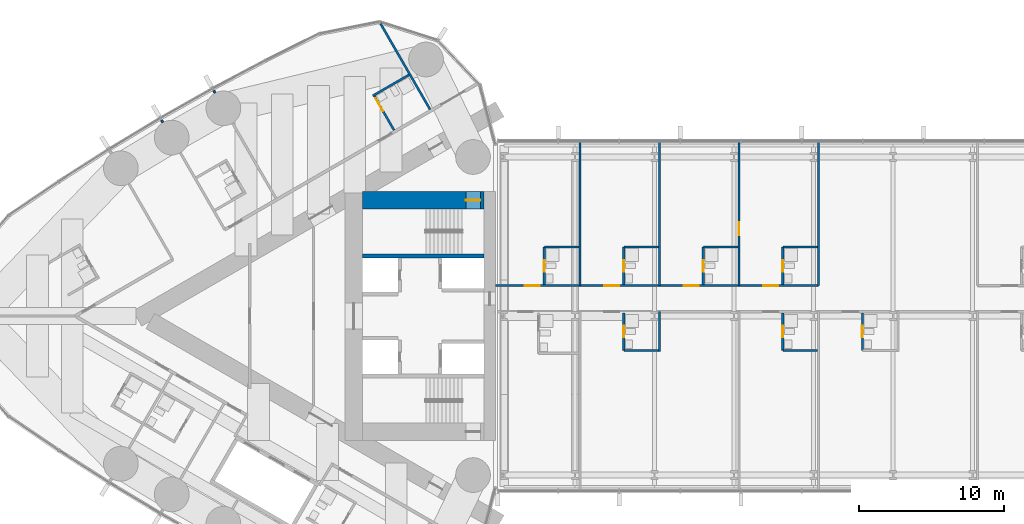
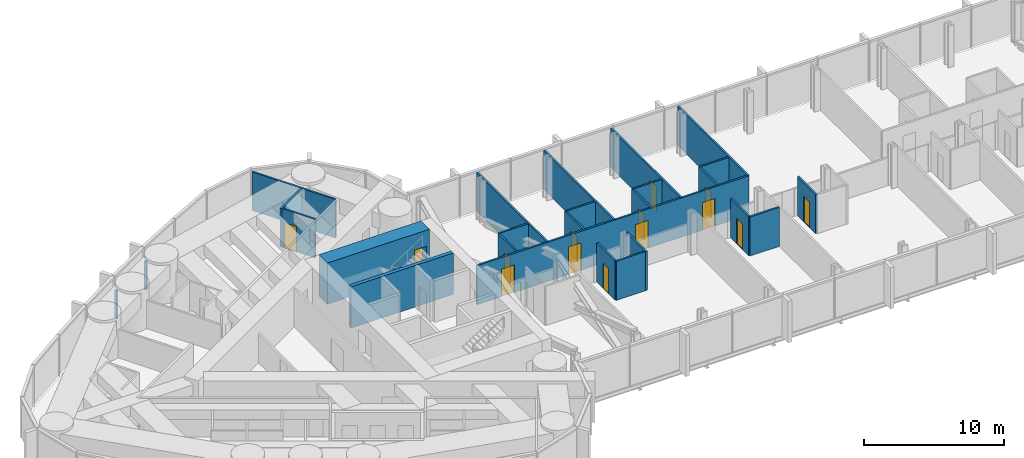
# One storey, part 16 of 22: 26 walls, 14 doors, 14 openings.
"""IFC4 building model written with IfcOpenShell, lengths in metres."""

import ifcopenshell
import ifcopenshell.guid

model = None  # the IFC model being written
_history = None  # IfcOwnerHistory: only IFC2X3 demands one
_inside = {}  # id of a spatial element -> (the spatial element, [elements in it])
_under = {}  # id of a project, library or spatial element -> (it, [spatial elements below it])
_declared = {}  # id of a project -> (the project, [libraries it declares])
_typed = {}  # id of a type object -> (the type object, [elements of that type])
_made_of = {}  # id of a material, layer set ... -> (it, [elements and type objects made of it])


def new_model(schema):
    """Start an empty IFC model of exactly this schema.

    Asked for "IFC4X3", IfcOpenShell would pick the latest addendum, in which some entities
    have other attributes; the version numbers below select the first issue.
    IFC2X3 requires an IfcOwnerHistory on every rooted entity: one is made here for all.
    """
    global model, _history
    if schema == "IFC4X3":
        model = ifcopenshell.file(schema_version=(4, 3, 0, 0))
    else:
        model = ifcopenshell.file(schema=schema)
    _inside.clear()
    _under.clear()
    _declared.clear()
    _typed.clear()
    _made_of.clear()
    _history = None
    if model.schema == "IFC2X3":
        org = make("IfcOrganization", Name="unknown")
        user = make(
            "IfcPersonAndOrganization",
            ThePerson=make("IfcPerson", FamilyName="unknown"),
            TheOrganization=org,
        )
        app = make(
            "IfcApplication",
            ApplicationDeveloper=org,
            Version="unknown",
            ApplicationFullName="unknown",
            ApplicationIdentifier="unknown",
        )
        _history = make(
            "IfcOwnerHistory",
            OwningUser=user,
            OwningApplication=app,
            ChangeAction="ADDED",
            CreationDate=0,
        )
    return model


def make(cls, **values):
    """One entity of the class cls with the attributes given. An attribute that is None is left unset."""
    return model.create_entity(
        cls, **{name: value for name, value in values.items() if value is not None}
    )


def rooted(cls, **values):
    """An entity with a GlobalId (a new one), such as an element, a storey or a relation."""
    return make(cls, GlobalId=ifcopenshell.guid.new(), OwnerHistory=_history, **values)


def si_unit(unit_type, name, prefix=None):
    """IfcSIUnit, for example si_unit("LENGTHUNIT", "METRE", prefix="MILLI")."""
    return make("IfcSIUnit", UnitType=unit_type, Prefix=prefix, Name=name)


def assignment(units):
    """IfcUnitAssignment: the units of a project."""
    return None if units is None else make("IfcUnitAssignment", Units=units)


def point(xyz):
    """IfcCartesianPoint."""
    return None if xyz is None else make("IfcCartesianPoint", Coordinates=xyz)


def direction(xyz):
    """IfcDirection."""
    return None if xyz is None else make("IfcDirection", DirectionRatios=xyz)


def frame(location, z_axis=None, x_axis=None):
    """IfcAxis2Placement3D, a coordinate frame: its origin and axes. An axis left out is left unset."""
    return make(
        "IfcAxis2Placement3D",
        Location=point(location),
        Axis=direction(z_axis),
        RefDirection=direction(x_axis),
    )


def frame_2d(location, x_axis=None):
    """IfcAxis2Placement2D, a coordinate frame in the plane: its origin and x axis."""
    return make(
        "IfcAxis2Placement2D", Location=point(location), RefDirection=direction(x_axis)
    )


def origin():
    """The frame at (0, 0, 0) with its axes left unset."""
    return frame((0.0, 0.0, 0.0))


def place(relative_to, where):
    """IfcLocalPlacement: puts the frame where relative to a parent placement (None: the world)."""
    return make(
        "IfcLocalPlacement", PlacementRelTo=relative_to, RelativePlacement=where
    )


def context(
    kind, dimensions, precision=None, world=None, true_north=None, identifier=None
):
    """IfcGeometricRepresentationContext, for example the 3D "Model" context."""
    return make(
        "IfcGeometricRepresentationContext",
        ContextIdentifier=identifier,
        ContextType=kind,
        CoordinateSpaceDimension=dimensions,
        Precision=precision,
        WorldCoordinateSystem=world,
        TrueNorth=true_north,
    )


def subcontext(parent, identifier, kind, view, scale=None):
    """IfcGeometricRepresentationSubContext, for example "Body" below "Model"."""
    return make(
        "IfcGeometricRepresentationSubContext",
        ContextIdentifier=identifier,
        ContextType=kind,
        ParentContext=parent,
        TargetScale=scale,
        TargetView=view,
    )


def project(units=None, contexts=None):
    """IfcProject with its units and contexts."""
    return rooted(
        "IfcProject",
        Name="project",
        RepresentationContexts=contexts,
        UnitsInContext=assignment(units),
    )


def spatial(cls, under=None, at=None, **own):
    """A site, building, storey or space (cls), placed at a placement, below another one or the project."""
    s = rooted(cls, ObjectPlacement=at, **own)
    if under is not None:
        _under.setdefault(under.id(), (under, []))[1].append(s)
    return s


def profile(cls, at=None, kind="AREA", **sizes):
    """A parametric profile (cls). Its sizes go by their IFC names, for example OverallWidth=200.0."""
    return make(cls, ProfileType=kind, Position=at, **sizes)


def rectangle(**sizes):
    """IfcRectangleProfileDef."""
    return profile("IfcRectangleProfileDef", **sizes)


def extrude(swept, where, along, depth):
    """IfcExtrudedAreaSolid: the profile swept, set in the frame where, extruded along a direction by depth."""
    return make(
        "IfcExtrudedAreaSolid",
        SweptArea=swept,
        Position=where,
        ExtrudedDirection=direction(along),
        Depth=depth,
    )


def shape(context_of_items, identifier, shape_type, items):
    """IfcShapeRepresentation: the items that make up one representation, for example the "Body"."""
    return make(
        "IfcShapeRepresentation",
        ContextOfItems=context_of_items,
        RepresentationIdentifier=identifier,
        RepresentationType=shape_type,
        Items=items,
    )


def material(Name=None, Category=None):
    """IfcMaterial."""
    return make("IfcMaterial", Name=Name, Category=Category)


def layer(
    of_material, thickness, ventilated=None, Name=None, Category=None, Priority=None
):
    """IfcMaterialLayer: one layer of a wall or slab, of a material (None: an air gap)."""
    return make(
        "IfcMaterialLayer",
        Material=of_material,
        LayerThickness=thickness,
        IsVentilated=ventilated,
        Name=Name,
        Category=Category,
        Priority=Priority,
    )


def layer_set(layers, Name=None):
    """IfcMaterialLayerSet."""
    return make("IfcMaterialLayerSet", MaterialLayers=layers, LayerSetName=Name)


def made_of(thing, what):
    """Note that an element or type object is made of a material, layer set ...; save() writes the relation."""
    if what is not None:
        _made_of.setdefault(what.id(), (what, []))[1].append(thing)
    return thing


def type_object(cls, material=None, **own):
    """A type object (cls), such as IfcWallType, which elements share."""
    return made_of(rooted(cls, **own), material)


def element(
    cls,
    number,
    at=None,
    inside=None,
    cuts=None,
    type_object=None,
    material=None,
    context=None,
    identifier="Body",
    shape_type=None,
    held_by="IfcProductDefinitionShape",
    body=None,
    shapes=None,
    **own,
):
    """One element of the class cls, such as IfcWall. Its Tag is "e" and its number.

    at: its placement. inside: the storey or other place that contains it. cuts: it is an
    opening in that element (IfcRelVoidsElement). A single representation is given by context,
    identifier, shape_type and body (its items); several are given by shapes. held_by: the class
    of the entity that holds the representations. save() writes the other relations.
    """
    e = rooted(cls, Tag="e%d" % number, ObjectPlacement=at, **own)
    if body is not None:
        shapes = [shape(context, identifier, shape_type, body)]
    if shapes is not None:
        e.Representation = make(held_by, Representations=shapes)
    if inside is not None:
        _inside.setdefault(inside.id(), (inside, []))[1].append(e)
    if cuts is not None:
        rooted(
            "IfcRelVoidsElement", RelatingBuildingElement=cuts, RelatedOpeningElement=e
        )
    if type_object is not None:
        _typed.setdefault(type_object.id(), (type_object, []))[1].append(e)
    return made_of(e, material)


def fill(opening, filler):
    """IfcRelFillsElement: the door or window that sits in an opening."""
    return rooted(
        "IfcRelFillsElement",
        RelatingOpeningElement=opening,
        RelatedBuildingElement=filler,
    )


def aggregate(whole, parts):
    """IfcRelAggregates: a whole, such as a stair, and the parts it consists of."""
    return rooted("IfcRelAggregates", RelatingObject=whole, RelatedObjects=parts)


def save(model, path):
    """Write the relations noted so far, then the file.

    IfcRelAggregates (storeys below a building ...), IfcRelContainedInSpatialStructure (elements
    in a storey), IfcRelDefinesByType, IfcRelAssociatesMaterial and IfcRelDeclares: one each for
    every whole, place, type object, material and project.
    """
    for whole, parts in _under.values():
        aggregate(whole, parts)
    for where, things in _inside.values():
        rooted(
            "IfcRelContainedInSpatialStructure",
            RelatedElements=things,
            RelatingStructure=where,
        )
    for kind, things in _typed.values():
        rooted("IfcRelDefinesByType", RelatedObjects=things, RelatingType=kind)
    for what, things in _made_of.values():
        rooted("IfcRelAssociatesMaterial", RelatedObjects=things, RelatingMaterial=what)
    for by, libraries in _declared.values():
        rooted("IfcRelDeclares", RelatingContext=by, RelatedDefinitions=libraries)
    model.write(path)


model = new_model("IFC4")

# Units and contexts
model_context = context("Model", 3, precision=1e-05, world=origin(), true_north=direction((0.0, 1.0)))
body_context = subcontext(model_context, "Body", "Model", "MODEL_VIEW")
ifc_project = project(units=[si_unit("LENGTHUNIT", "METRE"), si_unit("AREAUNIT", "SQUARE_METRE"), si_unit("VOLUMEUNIT", "CUBIC_METRE"), si_unit("PLANEANGLEUNIT", "RADIAN"), si_unit("MASSUNIT", "GRAM", prefix="KILO")], contexts=[model_context])

# Site, building, storey
site_placement = place(None, origin())
site = spatial("IfcSite", under=ifc_project, at=site_placement, CompositionType="ELEMENT")
building_placement = place(site_placement, origin())
building = spatial("IfcBuilding", under=site, at=building_placement, Name="Lancet Gate Hotel", CompositionType="ELEMENT")
storey_placement = place(building_placement, frame((0.0, 0.0, 226.10009765625)))
storey = spatial("IfcBuildingStorey", under=building, at=storey_placement, Name="L60", CompositionType="ELEMENT", Elevation=226.10009765625)

# Wall
ifc_material_1 = material(Name="Moisture resistant board partition")
ifc_layer_1 = layer(ifc_material_1, 0.14990234375)
ifc_layer_set_1 = layer_set([ifc_layer_1], Name="Bathroom wall 150")
wall_type_1 = type_object("IfcWallType", Name="Bathroom wall 150", PredefinedType="PARTITIONING", material=ifc_layer_set_1)
wall_1_placement = place(storey_placement, frame((-33.486572265625, 16.6748046875, 0.0), z_axis=(0.0, 0.0, 1.0), x_axis=(-0.866039941686, -0.499974818771, 0.0)))
element("IfcWall", 1, at=wall_1_placement, inside=storey, type_object=wall_type_1, Name="T1 bathroom wall 150 L60", PredefinedType="PARTITIONING", context=body_context, shape_type="SweptSolid", body=[
    extrude(rectangle(XDim=2.875244140625, YDim=0.14990234375, at=frame_2d((1.4375, 0.0))), origin(), (0.0, 0.0, 1.0), 3.349853515625),
])

# Wall, opening, door
wall_2_placement = place(storey_placement, frame((-34.511474609375, 12.849853515625, 0.0), z_axis=(0.0, 0.0, 1.0), x_axis=(-0.500011755427, 0.866018616679, 0.0)))
wall_2 = element("IfcWall", 2, at=wall_2_placement, inside=storey, type_object=wall_type_1, Name="T1 bathroom wall 150 L60", PredefinedType="PARTITIONING", context=body_context, shape_type="SweptSolid", body=[
    extrude(rectangle(XDim=2.80029296875, YDim=0.14990234375, at=frame_2d((1.400146484375, 0.0))), origin(), (0.0, 0.0, 1.0), 3.349853515625),
])
opening_1_placement = place(wall_2_placement, frame((1.550048828125, 0.0, 0.0)))
opening_1 = element("IfcOpeningElement", 3, at=opening_1_placement, cuts=wall_2, Name="Opening 6002-B", PredefinedType="OPENING", context=body_context, shape_type="SweptSolid", body=[
    extrude(rectangle(XDim=1.0, YDim=2.199951171875, at=frame_2d((0.5, 1.10009765625))), frame((0.0, 0.0849609375, 0.0), z_axis=(0.0, -1.0, 0.0), x_axis=(1.0, 0.0, 0.0)), (0.0, 0.0, 1.0), 0.169921875),
])
ifc_material_2 = material(Name="Timber door set", Category="wood")
door_type_1 = type_object("IfcDoorType", Name="Accessible en-suite door 1000", OperationType="SINGLE_SWING_RIGHT", PredefinedType="DOOR", material=ifc_material_2)
door_1_placement = place(opening_1_placement, origin())
door_1 = element("IfcDoor", 4, at=door_1_placement, inside=storey, type_object=door_type_1, Name="6002-B", OperationType="SINGLE_SWING_RIGHT", OverallHeight=2.199951171875, OverallWidth=1.0, PredefinedType="DOOR", context=body_context, shape_type="SweptSolid", body=[
    extrude(rectangle(XDim=1.0, YDim=2.199951171875, at=frame_2d((0.5, 1.10009765625))), frame((0.0, 0.02490234375, 0.0), z_axis=(0.0, -1.0, 0.0), x_axis=(1.0, 0.0, 0.0)), (0.0, 0.0, 1.0), 0.050048828125),
])
fill(opening_1, door_1)

# Wall
wall_3_placement = place(storey_placement, frame((-18.625, -2.375, 0.0), z_axis=(0.0, 0.0, 1.0), x_axis=(1.0, 0.0, 0.0)))
element("IfcWall", 5, at=wall_3_placement, inside=storey, type_object=wall_type_1, Name="Bridge block bathroom wall 150 L60", PredefinedType="PARTITIONING", context=body_context, shape_type="SweptSolid", body=[
    extrude(rectangle(XDim=2.39990234375, YDim=0.14990234375, at=frame_2d((1.199951171875, 0.0))), origin(), (0.0, 0.0, 1.0), 3.39990234375),
])

# Wall, opening, door
wall_4_placement = place(storey_placement, frame((-18.625, -2.375, 0.0), z_axis=(0.0, 0.0, 1.0), x_axis=(0.0, 1.0, 0.0)))
wall_4 = element("IfcWall", 6, at=wall_4_placement, inside=storey, type_object=wall_type_1, Name="Bridge block bathroom wall 150 L60", PredefinedType="PARTITIONING", context=body_context, shape_type="SweptSolid", body=[
    extrude(rectangle(XDim=2.60009765625, YDim=0.14990234375, at=frame_2d((1.300048828125, 0.0))), origin(), (0.0, 0.0, 1.0), 3.39990234375),
])
opening_2_placement = place(wall_4_placement, frame((0.89990234375, 0.0, 0.0)))
opening_2 = element("IfcOpeningElement", 7, at=opening_2_placement, cuts=wall_4, Name="Opening B6002-B", PredefinedType="OPENING", context=body_context, shape_type="SweptSolid", body=[
    extrude(rectangle(XDim=0.800048828125, YDim=2.199951171875, at=frame_2d((0.39990234375, 1.10009765625))), frame((0.0, 0.0849609375, 0.0), z_axis=(0.0, -1.0, 0.0), x_axis=(1.0, 0.0, 0.0)), (0.0, 0.0, 1.0), 0.169921875),
])
ifc_material_3 = material(Name="Timber door set", Category="wood")
door_type_2 = type_object("IfcDoorType", Name="Bathroom door 800", OperationType="SINGLE_SWING_RIGHT", PredefinedType="DOOR", material=ifc_material_3)
door_2_placement = place(opening_2_placement, origin())
door_2 = element("IfcDoor", 8, at=door_2_placement, inside=storey, type_object=door_type_2, Name="B6002-B", OperationType="SINGLE_SWING_RIGHT", OverallHeight=2.199951171875, OverallWidth=0.800048828125, PredefinedType="DOOR", context=body_context, shape_type="SweptSolid", body=[
    extrude(rectangle(XDim=0.800048828125, YDim=2.199951171875, at=frame_2d((0.39990234375, 1.10009765625))), frame((0.0, 0.02490234375, 0.0), z_axis=(0.0, -1.0, 0.0), x_axis=(1.0, 0.0, 0.0)), (0.0, 0.0, 1.0), 0.050048828125),
])
fill(opening_2, door_2)

# Wall
wall_5_placement = place(storey_placement, frame((-7.625, -2.375, 0.0), z_axis=(0.0, 0.0, 1.0), x_axis=(1.0, 0.0, 0.0)))
element("IfcWall", 9, at=wall_5_placement, inside=storey, type_object=wall_type_1, Name="Bridge block bathroom wall 150 L60", PredefinedType="PARTITIONING", context=body_context, shape_type="SweptSolid", body=[
    extrude(rectangle(XDim=2.39990234375, YDim=0.14990234375, at=frame_2d((1.199951171875, 0.0))), origin(), (0.0, 0.0, 1.0), 3.39990234375),
])

# Wall, opening, door
wall_6_placement = place(storey_placement, frame((-7.625, -2.375, 0.0), z_axis=(0.0, 0.0, 1.0), x_axis=(0.0, 1.0, 0.0)))
wall_6 = element("IfcWall", 10, at=wall_6_placement, inside=storey, type_object=wall_type_1, Name="Bridge block bathroom wall 150 L60", PredefinedType="PARTITIONING", context=body_context, shape_type="SweptSolid", body=[
    extrude(rectangle(XDim=2.60009765625, YDim=0.14990234375, at=frame_2d((1.300048828125, 0.0))), origin(), (0.0, 0.0, 1.0), 3.39990234375),
])
opening_3_placement = place(wall_6_placement, frame((0.89990234375, 0.0, 0.0)))
opening_3 = element("IfcOpeningElement", 11, at=opening_3_placement, cuts=wall_6, Name="Opening B6004-B", PredefinedType="OPENING", context=body_context, shape_type="SweptSolid", body=[
    extrude(rectangle(XDim=0.800048828125, YDim=2.199951171875, at=frame_2d((0.39990234375, 1.10009765625))), frame((0.0, 0.0849609375, 0.0), z_axis=(0.0, -1.0, 0.0), x_axis=(1.0, 0.0, 0.0)), (0.0, 0.0, 1.0), 0.169921875),
])
door_3_placement = place(opening_3_placement, origin())
door_3 = element("IfcDoor", 12, at=door_3_placement, inside=storey, type_object=door_type_2, Name="B6004-B", OperationType="SINGLE_SWING_RIGHT", OverallHeight=2.199951171875, OverallWidth=0.800048828125, PredefinedType="DOOR", context=body_context, shape_type="SweptSolid", body=[
    extrude(rectangle(XDim=0.800048828125, YDim=2.199951171875, at=frame_2d((0.39990234375, 1.10009765625))), frame((0.0, 0.02490234375, 0.0), z_axis=(0.0, -1.0, 0.0), x_axis=(1.0, 0.0, 0.0)), (0.0, 0.0, 1.0), 0.050048828125),
])
fill(opening_3, door_3)

wall_7_placement = place(storey_placement, frame((-2.125, -2.375, 0.0), z_axis=(0.0, 0.0, 1.0), x_axis=(0.0, 1.0, 0.0)))
wall_7 = element("IfcWall", 13, at=wall_7_placement, inside=storey, type_object=wall_type_1, Name="Bridge block bathroom wall 150 L60", PredefinedType="PARTITIONING", context=body_context, shape_type="SweptSolid", body=[
    extrude(rectangle(XDim=2.60009765625, YDim=0.14990234375, at=frame_2d((1.300048828125, 0.0))), origin(), (0.0, 0.0, 1.0), 3.39990234375),
])
opening_4_placement = place(wall_7_placement, frame((0.89990234375, 0.0, 0.0)))
opening_4 = element("IfcOpeningElement", 14, at=opening_4_placement, cuts=wall_7, Name="Opening B6005-B", PredefinedType="OPENING", context=body_context, shape_type="SweptSolid", body=[
    extrude(rectangle(XDim=0.800048828125, YDim=2.199951171875, at=frame_2d((0.39990234375, 1.10009765625))), frame((0.0, 0.0849609375, 0.0), z_axis=(0.0, -1.0, 0.0), x_axis=(1.0, 0.0, 0.0)), (0.0, 0.0, 1.0), 0.169921875),
])
door_4_placement = place(opening_4_placement, origin())
door_4 = element("IfcDoor", 15, at=door_4_placement, inside=storey, type_object=door_type_2, Name="B6005-B", OperationType="SINGLE_SWING_RIGHT", OverallHeight=2.199951171875, OverallWidth=0.800048828125, PredefinedType="DOOR", context=body_context, shape_type="SweptSolid", body=[
    extrude(rectangle(XDim=0.800048828125, YDim=2.199951171875, at=frame_2d((0.39990234375, 1.10009765625))), frame((0.0, 0.02490234375, 0.0), z_axis=(0.0, -1.0, 0.0), x_axis=(1.0, 0.0, 0.0)), (0.0, 0.0, 1.0), 0.050048828125),
])
fill(opening_4, door_4)

# Wall
wall_8_placement = place(storey_placement, frame((-24.125, 4.77490234375, 0.0), z_axis=(0.0, 0.0, 1.0), x_axis=(1.0, 0.0, 0.0)))
element("IfcWall", 16, at=wall_8_placement, inside=storey, type_object=wall_type_1, Name="Bridge block bathroom wall 150 L60", PredefinedType="PARTITIONING", context=body_context, shape_type="SweptSolid", body=[
    extrude(rectangle(XDim=2.39990234375, YDim=0.14990234375, at=frame_2d((1.199951171875, 0.0))), origin(), (0.0, 0.0, 1.0), 3.39990234375),
])

# Wall, opening, door
wall_9_placement = place(storey_placement, frame((-24.125, 2.175048828125, 0.0), z_axis=(0.0, 0.0, 1.0), x_axis=(0.0, 1.0, 0.0)))
wall_9 = element("IfcWall", 17, at=wall_9_placement, inside=storey, type_object=wall_type_1, Name="Bridge block bathroom wall 150 L60", PredefinedType="PARTITIONING", context=body_context, shape_type="SweptSolid", body=[
    extrude(rectangle(XDim=2.599853515625, YDim=0.14990234375, at=frame_2d((1.2998046875, 0.0))), origin(), (0.0, 0.0, 1.0), 3.39990234375),
])
opening_5_placement = place(wall_9_placement, frame((0.89990234375, 0.0, 0.0)))
opening_5 = element("IfcOpeningElement", 18, at=opening_5_placement, cuts=wall_9, Name="Opening B6011-B", PredefinedType="OPENING", context=body_context, shape_type="SweptSolid", body=[
    extrude(rectangle(XDim=0.800048828125, YDim=2.199951171875, at=frame_2d((0.39990234375, 1.10009765625))), frame((0.0, 0.0849609375, 0.0), z_axis=(0.0, -1.0, 0.0), x_axis=(1.0, 0.0, 0.0)), (0.0, 0.0, 1.0), 0.169921875),
])
door_5_placement = place(opening_5_placement, origin())
door_5 = element("IfcDoor", 19, at=door_5_placement, inside=storey, type_object=door_type_2, Name="B6011-B", OperationType="SINGLE_SWING_RIGHT", OverallHeight=2.199951171875, OverallWidth=0.800048828125, PredefinedType="DOOR", context=body_context, shape_type="SweptSolid", body=[
    extrude(rectangle(XDim=0.800048828125, YDim=2.199951171875, at=frame_2d((0.39990234375, 1.10009765625))), frame((0.0, 0.02490234375, 0.0), z_axis=(0.0, -1.0, 0.0), x_axis=(1.0, 0.0, 0.0)), (0.0, 0.0, 1.0), 0.050048828125),
])
fill(opening_5, door_5)

# Wall
wall_10_placement = place(storey_placement, frame((-18.625, 4.77490234375, 0.0), z_axis=(0.0, 0.0, 1.0), x_axis=(1.0, 0.0, 0.0)))
element("IfcWall", 20, at=wall_10_placement, inside=storey, type_object=wall_type_1, Name="Bridge block bathroom wall 150 L60", PredefinedType="PARTITIONING", context=body_context, shape_type="SweptSolid", body=[
    extrude(rectangle(XDim=2.39990234375, YDim=0.14990234375, at=frame_2d((1.199951171875, 0.0))), origin(), (0.0, 0.0, 1.0), 3.39990234375),
])

# Wall, opening, door
wall_11_placement = place(storey_placement, frame((-18.625, 2.175048828125, 0.0), z_axis=(0.0, 0.0, 1.0), x_axis=(0.0, 1.0, 0.0)))
wall_11 = element("IfcWall", 21, at=wall_11_placement, inside=storey, type_object=wall_type_1, Name="Bridge block bathroom wall 150 L60", PredefinedType="PARTITIONING", context=body_context, shape_type="SweptSolid", body=[
    extrude(rectangle(XDim=2.599853515625, YDim=0.14990234375, at=frame_2d((1.2998046875, 0.0))), origin(), (0.0, 0.0, 1.0), 3.39990234375),
])
opening_6_placement = place(wall_11_placement, frame((0.89990234375, 0.0, 0.0)))
opening_6 = element("IfcOpeningElement", 22, at=opening_6_placement, cuts=wall_11, Name="Opening B6012-B", PredefinedType="OPENING", context=body_context, shape_type="SweptSolid", body=[
    extrude(rectangle(XDim=0.800048828125, YDim=2.199951171875, at=frame_2d((0.39990234375, 1.10009765625))), frame((0.0, 0.0849609375, 0.0), z_axis=(0.0, -1.0, 0.0), x_axis=(1.0, 0.0, 0.0)), (0.0, 0.0, 1.0), 0.169921875),
])
door_6_placement = place(opening_6_placement, origin())
door_6 = element("IfcDoor", 23, at=door_6_placement, inside=storey, type_object=door_type_2, Name="B6012-B", OperationType="SINGLE_SWING_RIGHT", OverallHeight=2.199951171875, OverallWidth=0.800048828125, PredefinedType="DOOR", context=body_context, shape_type="SweptSolid", body=[
    extrude(rectangle(XDim=0.800048828125, YDim=2.199951171875, at=frame_2d((0.39990234375, 1.10009765625))), frame((0.0, 0.02490234375, 0.0), z_axis=(0.0, -1.0, 0.0), x_axis=(1.0, 0.0, 0.0)), (0.0, 0.0, 1.0), 0.050048828125),
])
fill(opening_6, door_6)

# Wall
wall_12_placement = place(storey_placement, frame((-13.125, 4.77490234375, 0.0), z_axis=(0.0, 0.0, 1.0), x_axis=(1.0, 0.0, 0.0)))
element("IfcWall", 24, at=wall_12_placement, inside=storey, type_object=wall_type_1, Name="Bridge block bathroom wall 150 L60", PredefinedType="PARTITIONING", context=body_context, shape_type="SweptSolid", body=[
    extrude(rectangle(XDim=2.39990234375, YDim=0.14990234375, at=frame_2d((1.199951171875, 0.0))), origin(), (0.0, 0.0, 1.0), 3.39990234375),
])

# Wall, opening, door
wall_13_placement = place(storey_placement, frame((-13.125, 2.175048828125, 0.0), z_axis=(0.0, 0.0, 1.0), x_axis=(0.0, 1.0, 0.0)))
wall_13 = element("IfcWall", 25, at=wall_13_placement, inside=storey, type_object=wall_type_1, Name="Bridge block bathroom wall 150 L60", PredefinedType="PARTITIONING", context=body_context, shape_type="SweptSolid", body=[
    extrude(rectangle(XDim=2.599853515625, YDim=0.14990234375, at=frame_2d((1.2998046875, 0.0))), origin(), (0.0, 0.0, 1.0), 3.39990234375),
])
opening_7_placement = place(wall_13_placement, frame((0.89990234375, 0.0, 0.0)))
opening_7 = element("IfcOpeningElement", 26, at=opening_7_placement, cuts=wall_13, Name="Opening B6013-B", PredefinedType="OPENING", context=body_context, shape_type="SweptSolid", body=[
    extrude(rectangle(XDim=0.800048828125, YDim=2.199951171875, at=frame_2d((0.39990234375, 1.10009765625))), frame((0.0, 0.0849609375, 0.0), z_axis=(0.0, -1.0, 0.0), x_axis=(1.0, 0.0, 0.0)), (0.0, 0.0, 1.0), 0.169921875),
])
door_7_placement = place(opening_7_placement, origin())
door_7 = element("IfcDoor", 27, at=door_7_placement, inside=storey, type_object=door_type_2, Name="B6013-B", OperationType="SINGLE_SWING_RIGHT", OverallHeight=2.199951171875, OverallWidth=0.800048828125, PredefinedType="DOOR", context=body_context, shape_type="SweptSolid", body=[
    extrude(rectangle(XDim=0.800048828125, YDim=2.199951171875, at=frame_2d((0.39990234375, 1.10009765625))), frame((0.0, 0.02490234375, 0.0), z_axis=(0.0, -1.0, 0.0), x_axis=(1.0, 0.0, 0.0)), (0.0, 0.0, 1.0), 0.050048828125),
])
fill(opening_7, door_7)

# Wall
wall_14_placement = place(storey_placement, frame((-7.625, 4.77490234375, 0.0), z_axis=(0.0, 0.0, 1.0), x_axis=(1.0, 0.0, 0.0)))
element("IfcWall", 28, at=wall_14_placement, inside=storey, type_object=wall_type_1, Name="Bridge block bathroom wall 150 L60", PredefinedType="PARTITIONING", context=body_context, shape_type="SweptSolid", body=[
    extrude(rectangle(XDim=2.39990234375, YDim=0.14990234375, at=frame_2d((1.199951171875, 0.0))), origin(), (0.0, 0.0, 1.0), 3.39990234375),
])

# Wall, opening, door
wall_15_placement = place(storey_placement, frame((-7.625, 2.175048828125, 0.0), z_axis=(0.0, 0.0, 1.0), x_axis=(0.0, 1.0, 0.0)))
wall_15 = element("IfcWall", 29, at=wall_15_placement, inside=storey, type_object=wall_type_1, Name="Bridge block bathroom wall 150 L60", PredefinedType="PARTITIONING", context=body_context, shape_type="SweptSolid", body=[
    extrude(rectangle(XDim=2.599853515625, YDim=0.14990234375, at=frame_2d((1.2998046875, 0.0))), origin(), (0.0, 0.0, 1.0), 3.39990234375),
])
opening_8_placement = place(wall_15_placement, frame((0.89990234375, 0.0, 0.0)))
opening_8 = element("IfcOpeningElement", 30, at=opening_8_placement, cuts=wall_15, Name="Opening B6014-B", PredefinedType="OPENING", context=body_context, shape_type="SweptSolid", body=[
    extrude(rectangle(XDim=0.800048828125, YDim=2.199951171875, at=frame_2d((0.39990234375, 1.10009765625))), frame((0.0, 0.0849609375, 0.0), z_axis=(0.0, -1.0, 0.0), x_axis=(1.0, 0.0, 0.0)), (0.0, 0.0, 1.0), 0.169921875),
])
door_8_placement = place(opening_8_placement, origin())
door_8 = element("IfcDoor", 31, at=door_8_placement, inside=storey, type_object=door_type_2, Name="B6014-B", OperationType="SINGLE_SWING_RIGHT", OverallHeight=2.199951171875, OverallWidth=0.800048828125, PredefinedType="DOOR", context=body_context, shape_type="SweptSolid", body=[
    extrude(rectangle(XDim=0.800048828125, YDim=2.199951171875, at=frame_2d((0.39990234375, 1.10009765625))), frame((0.0, 0.02490234375, 0.0), z_axis=(0.0, -1.0, 0.0), x_axis=(1.0, 0.0, 0.0)), (0.0, 0.0, 1.0), 0.050048828125),
])
fill(opening_8, door_8)

# Wall, openings, doors
ifc_material_4 = material(Name="Gypsum board partition")
ifc_layer_2 = layer(ifc_material_4, 0.14990234375)
ifc_layer_set_2 = layer_set([ifc_layer_2], Name="Block corridor wall 150")
wall_type_2 = type_object("IfcWallType", Name="Block corridor wall 150", PredefinedType="PARTITIONING", material=ifc_layer_set_2)
wall_16_placement = place(storey_placement, frame((-27.5, 2.10009765625, 0.0), z_axis=(0.0, 0.0, 1.0), x_axis=(1.0, 0.0, 0.0)))
wall_16 = element("IfcWall", 32, at=wall_16_placement, inside=storey, type_object=wall_type_2, Name="Bridge block block corridor wall 150 L60", PredefinedType="PARTITIONING", context=body_context, shape_type="SweptSolid", body=[
    extrude(rectangle(XDim=22.35009765625, YDim=0.14990234375, at=frame_2d((11.175048828125, 0.0))), origin(), (0.0, 0.0, 1.0), 3.39990234375),
])
opening_9_placement = place(wall_16_placement, frame((2.02490234375, 0.0, 0.0)))
opening_9 = element("IfcOpeningElement", 33, at=opening_9_placement, cuts=wall_16, Name="Opening B6011", PredefinedType="OPENING", context=body_context, shape_type="SweptSolid", body=[
    extrude(rectangle(XDim=1.050048828125, YDim=2.39990234375, at=frame_2d((0.52490234375, 1.199951171875))), frame((0.0, 0.0849609375, 0.0), z_axis=(0.0, -1.0, 0.0), x_axis=(1.0, 0.0, 0.0)), (0.0, 0.0, 1.0), 0.169921875),
])
opening_10_placement = place(wall_16_placement, frame((7.52490234375, 0.0, 0.0)))
opening_10 = element("IfcOpeningElement", 34, at=opening_10_placement, cuts=wall_16, Name="Opening B6012", PredefinedType="OPENING", context=body_context, shape_type="SweptSolid", body=[
    extrude(rectangle(XDim=1.050048828125, YDim=2.39990234375, at=frame_2d((0.52490234375, 1.199951171875))), frame((0.0, 0.0849609375, 0.0), z_axis=(0.0, -1.0, 0.0), x_axis=(1.0, 0.0, 0.0)), (0.0, 0.0, 1.0), 0.169921875),
])
opening_11_placement = place(wall_16_placement, frame((13.02490234375, 0.0, 0.0)))
opening_11 = element("IfcOpeningElement", 35, at=opening_11_placement, cuts=wall_16, Name="Opening B6013", PredefinedType="OPENING", context=body_context, shape_type="SweptSolid", body=[
    extrude(rectangle(XDim=1.050048828125, YDim=2.39990234375, at=frame_2d((0.52490234375, 1.199951171875))), frame((0.0, 0.0849609375, 0.0), z_axis=(0.0, -1.0, 0.0), x_axis=(1.0, 0.0, 0.0)), (0.0, 0.0, 1.0), 0.169921875),
])
opening_12_placement = place(wall_16_placement, frame((18.52490234375, 0.0, 0.0)))
opening_12 = element("IfcOpeningElement", 36, at=opening_12_placement, cuts=wall_16, Name="Opening B6014", PredefinedType="OPENING", context=body_context, shape_type="SweptSolid", body=[
    extrude(rectangle(XDim=1.050048828125, YDim=2.39990234375, at=frame_2d((0.52490234375, 1.199951171875))), frame((0.0, 0.0849609375, 0.0), z_axis=(0.0, -1.0, 0.0), x_axis=(1.0, 0.0, 0.0)), (0.0, 0.0, 1.0), 0.169921875),
])
ifc_material_5 = material(Name="Timber door set", Category="wood")
door_type_3 = type_object("IfcDoorType", Name="Suite entry door 1050", OperationType="SINGLE_SWING_LEFT", PredefinedType="DOOR", material=ifc_material_5)
door_9_placement = place(opening_9_placement, origin())
door_9 = element("IfcDoor", 37, at=door_9_placement, inside=storey, type_object=door_type_3, Name="B6011", OperationType="SINGLE_SWING_LEFT", OverallHeight=2.39990234375, OverallWidth=1.050048828125, PredefinedType="DOOR", context=body_context, shape_type="SweptSolid", body=[
    extrude(rectangle(XDim=1.050048828125, YDim=2.39990234375, at=frame_2d((0.52490234375, 1.199951171875))), frame((0.0, 0.02490234375, 0.0), z_axis=(0.0, -1.0, 0.0), x_axis=(1.0, 0.0, 0.0)), (0.0, 0.0, 1.0), 0.050048828125),
])
fill(opening_9, door_9)
door_10_placement = place(opening_10_placement, origin())
door_10 = element("IfcDoor", 38, at=door_10_placement, inside=storey, type_object=door_type_3, Name="B6012", OperationType="SINGLE_SWING_LEFT", OverallHeight=2.39990234375, OverallWidth=1.050048828125, PredefinedType="DOOR", context=body_context, shape_type="SweptSolid", body=[
    extrude(rectangle(XDim=1.050048828125, YDim=2.39990234375, at=frame_2d((0.52490234375, 1.199951171875))), frame((0.0, 0.02490234375, 0.0), z_axis=(0.0, -1.0, 0.0), x_axis=(1.0, 0.0, 0.0)), (0.0, 0.0, 1.0), 0.050048828125),
])
fill(opening_10, door_10)
door_11_placement = place(opening_11_placement, origin())
door_11 = element("IfcDoor", 39, at=door_11_placement, inside=storey, type_object=door_type_3, Name="B6013", OperationType="SINGLE_SWING_LEFT", OverallHeight=2.39990234375, OverallWidth=1.050048828125, PredefinedType="DOOR", context=body_context, shape_type="SweptSolid", body=[
    extrude(rectangle(XDim=1.050048828125, YDim=2.39990234375, at=frame_2d((0.52490234375, 1.199951171875))), frame((0.0, 0.02490234375, 0.0), z_axis=(0.0, -1.0, 0.0), x_axis=(1.0, 0.0, 0.0)), (0.0, 0.0, 1.0), 0.050048828125),
])
fill(opening_11, door_11)
door_12_placement = place(opening_12_placement, origin())
door_12 = element("IfcDoor", 40, at=door_12_placement, inside=storey, type_object=door_type_3, Name="B6014", OperationType="SINGLE_SWING_LEFT", OverallHeight=2.39990234375, OverallWidth=1.050048828125, PredefinedType="DOOR", context=body_context, shape_type="SweptSolid", body=[
    extrude(rectangle(XDim=1.050048828125, YDim=2.39990234375, at=frame_2d((0.52490234375, 1.199951171875))), frame((0.0, 0.02490234375, 0.0), z_axis=(0.0, -1.0, 0.0), x_axis=(1.0, 0.0, 0.0)), (0.0, 0.0, 1.0), 0.050048828125),
])
fill(opening_12, door_12)

# Wall, opening, door
ifc_material_6 = material(Name="Concrete C70/85", Category="concrete")
ifc_layer_3 = layer(ifc_material_6, 1.199951171875)
ifc_layer_set_3 = layer_set([ifc_layer_3], Name="Core wall 1200")
wall_type_3 = type_object("IfcWallType", Name="Core wall 1200", PredefinedType="SHEAR", material=ifc_layer_set_3)
wall_17_placement = place(storey_placement, frame((-28.300048828125, 8.0, 0.0), z_axis=(0.0, 0.0, 1.0), x_axis=(-1.0, 0.0, 0.0)))
wall_17 = element("IfcWall", 41, at=wall_17_placement, inside=storey, type_object=wall_type_3, Name="T1 core wall side-S L60", PredefinedType="SHEAR", context=body_context, shape_type="SweptSolid", body=[
    extrude(rectangle(XDim=8.39990234375, YDim=1.199951171875, at=frame_2d((4.199951171875, 0.0))), origin(), (0.0, 0.0, 1.0), 3.599853515625),
])
opening_13_placement = place(wall_17_placement, frame((0.25, 0.0, 0.0)))
opening_13 = element("IfcOpeningElement", 42, at=opening_13_placement, cuts=wall_17, Name="Opening T1-L60-ST1", PredefinedType="OPENING", context=body_context, shape_type="SweptSolid", body=[
    extrude(rectangle(XDim=1.0, YDim=2.199951171875, at=frame_2d((0.5, 1.10009765625))), frame((0.0, 0.60986328125, 0.0), z_axis=(0.0, -1.0, 0.0), x_axis=(1.0, 0.0, 0.0)), (0.0, 0.0, 1.0), 1.219970703125),
])
ifc_material_7 = material(Name="Timber door set", Category="wood")
door_type_4 = type_object("IfcDoorType", Name="Stair door 1000", OperationType="SINGLE_SWING_RIGHT", PredefinedType="DOOR", material=ifc_material_7)
door_13_placement = place(opening_13_placement, origin())
door_13 = element("IfcDoor", 43, at=door_13_placement, inside=storey, type_object=door_type_4, Name="T1-L60-ST1", OperationType="SINGLE_SWING_RIGHT", OverallHeight=2.199951171875, OverallWidth=1.0, PredefinedType="DOOR", context=body_context, shape_type="SweptSolid", body=[
    extrude(rectangle(XDim=1.0, YDim=2.199951171875, at=frame_2d((0.5, 1.10009765625))), frame((0.0, 0.02490234375, 0.0), z_axis=(0.0, -1.0, 0.0), x_axis=(1.0, 0.0, 0.0)), (0.0, 0.0, 1.0), 0.050048828125),
])
fill(opening_13, door_13)

# Walls
ifc_material_8 = material(Name="Gypsum board partition")
ifc_layer_4 = layer(ifc_material_8, 0.14990234375)
ifc_layer_set_4 = layer_set([ifc_layer_4], Name="Party wall 150")
wall_type_4 = type_object("IfcWallType", Name="Party wall 150", PredefinedType="PARTITIONING", material=ifc_layer_set_4)
wall_18_placement = place(storey_placement, frame((-32.021728515625, 14.287353515625, 0.0), z_axis=(0.0, 0.0, 1.0), x_axis=(-0.50000019414, 0.866025291697, 0.0)))
element("IfcWall", 44, at=wall_18_placement, inside=storey, type_object=wall_type_4, Name="T1 party wall 150 L60", PredefinedType="PARTITIONING", context=body_context, shape_type="SweptSolid", body=[
    extrude(rectangle(XDim=6.84814453125, YDim=0.14990234375, at=frame_2d((3.424072265625, 0.0))), origin(), (0.0, 0.0, 1.0), 3.349853515625),
])
wall_19_placement = place(storey_placement, frame((-46.89794921875, 15.438720703125, 0.0), z_axis=(0.0, 0.0, 1.0), x_axis=(-0.500232303069, 0.865891241997, 0.0)))
element("IfcWall", 45, at=wall_19_placement, inside=storey, type_object=wall_type_4, Name="T1 party wall 150 L60", PredefinedType="PARTITIONING", context=body_context, shape_type="SweptSolid", body=[
    extrude(rectangle(XDim=0.1796875, YDim=0.14990234375, at=frame_2d((0.08984375, 0.0))), origin(), (0.0, 0.0, 1.0), 2.449951171875),
])
wall_20_placement = place(storey_placement, frame((-50.507568359375, 13.392333984375, 0.0), z_axis=(0.0, 0.0, 1.0), x_axis=(-0.499644091975, 0.866230789891, 0.0)))
element("IfcWall", 46, at=wall_20_placement, inside=storey, type_object=wall_type_4, Name="T1 party wall 150 L60", PredefinedType="PARTITIONING", context=body_context, shape_type="SweptSolid", body=[
    extrude(rectangle(XDim=0.179931640625, YDim=0.14990234375, at=frame_2d((0.08984375, 0.0))), origin(), (0.0, 0.0, 1.0), 2.449951171875),
])
for number, where, z_axis, x_axis, name in (
    (47, (-21.64990234375, 2.10009765625, 0.0), (0.0, 0.0, 1.0), (0.0, 1.0, 0.0), "Bridge block party wall 150 L60"),
    (48, (-16.14990234375, 2.10009765625, 0.0), (0.0, 0.0, 1.0), (0.0, 1.0, 0.0), "Bridge block party wall 150 L60"),
):
    element("IfcWall", number, at=place(storey_placement, frame(where, z_axis=z_axis, x_axis=x_axis)), inside=storey, type_object=wall_type_4, Name=name, PredefinedType="PARTITIONING", context=body_context, shape_type="SweptSolid", body=[
        extrude(rectangle(XDim=9.969970703125, YDim=0.14990234375, at=frame_2d((4.98486328125, 0.0))), origin(), (0.0, 0.0, 1.0), 3.39990234375),
    ])

# Wall, opening, door
wall_21_placement = place(storey_placement, frame((-10.64990234375, 2.10009765625, 0.0), z_axis=(0.0, 0.0, 1.0), x_axis=(0.0, 1.0, 0.0)))
wall_21 = element("IfcWall", 49, at=wall_21_placement, inside=storey, type_object=wall_type_4, Name="Bridge block party wall 150 L60", PredefinedType="PARTITIONING", context=body_context, shape_type="SweptSolid", body=[
    extrude(rectangle(XDim=9.969970703125, YDim=0.14990234375, at=frame_2d((4.98486328125, 0.0))), origin(), (0.0, 0.0, 1.0), 3.39990234375),
])
opening_14_placement = place(wall_21_placement, frame((3.5, 0.0, 0.0)))
opening_14 = element("IfcOpeningElement", 50, at=opening_14_placement, cuts=wall_21, Name="Opening B6013-C", PredefinedType="OPENING", context=body_context, shape_type="SweptSolid", body=[
    extrude(rectangle(XDim=0.89990234375, YDim=2.199951171875, at=frame_2d((0.449951171875, 1.10009765625))), frame((0.0, 0.0849609375, 0.0), z_axis=(0.0, -1.0, 0.0), x_axis=(1.0, 0.0, 0.0)), (0.0, 0.0, 1.0), 0.169921875),
])
ifc_material_9 = material(Name="Timber door set", Category="wood")
door_type_5 = type_object("IfcDoorType", Name="Connecting door 900", OperationType="SINGLE_SWING_LEFT", PredefinedType="DOOR", material=ifc_material_9)
door_14_placement = place(opening_14_placement, origin())
door_14 = element("IfcDoor", 51, at=door_14_placement, inside=storey, type_object=door_type_5, Name="B6013-C", OperationType="SINGLE_SWING_LEFT", OverallHeight=2.199951171875, OverallWidth=0.89990234375, PredefinedType="DOOR", context=body_context, shape_type="SweptSolid", body=[
    extrude(rectangle(XDim=0.89990234375, YDim=2.199951171875, at=frame_2d((0.449951171875, 1.10009765625))), frame((0.0, 0.02490234375, 0.0), z_axis=(0.0, -1.0, 0.0), x_axis=(1.0, 0.0, 0.0)), (0.0, 0.0, 1.0), 0.050048828125),
])
fill(opening_14, door_14)

# Walls
wall_22_placement = place(storey_placement, frame((-5.14990234375, 2.10009765625, 0.0), z_axis=(0.0, 0.0, 1.0), x_axis=(0.0, 1.0, 0.0)))
element("IfcWall", 52, at=wall_22_placement, inside=storey, type_object=wall_type_4, Name="Bridge block party wall 150 L60", PredefinedType="PARTITIONING", context=body_context, shape_type="SweptSolid", body=[
    extrude(rectangle(XDim=9.969970703125, YDim=0.14990234375, at=frame_2d((4.98486328125, 0.0))), origin(), (0.0, 0.0, 1.0), 3.39990234375),
])
wall_23_placement = place(storey_placement, frame((-16.14990234375, -2.449951171875, 0.0), z_axis=(0.0, 0.0, 1.0), x_axis=(0.0, 1.0, 0.0)))
element("IfcWall", 53, at=wall_23_placement, inside=storey, type_object=wall_type_4, Name="Bridge block party wall 150 L60", PredefinedType="PARTITIONING", context=body_context, shape_type="SweptSolid", body=[
    extrude(rectangle(XDim=2.75, YDim=0.14990234375, at=frame_2d((1.375, 0.0))), origin(), (0.0, 0.0, 1.0), 3.39990234375),
])
ifc_material_10 = material(Name="Concrete C50/60", Category="concrete")
ifc_layer_5 = layer(ifc_material_10, 0.300048828125)
ifc_layer_set_5 = layer_set([ifc_layer_5], Name="Stair enclosure wall 300")
wall_type_5 = type_object("IfcWallType", Name="Stair enclosure wall 300", PredefinedType="SHEAR", material=ifc_layer_set_5)
wall_24_placement = place(storey_placement, frame((-28.300048828125, 4.14990234375, 0.0), z_axis=(0.0, 0.0, 1.0), x_axis=(-1.0, 0.0, 0.0)))
element("IfcWall", 54, at=wall_24_placement, inside=storey, type_object=wall_type_5, Name="T1 core wall stair-S L60", PredefinedType="SHEAR", context=body_context, shape_type="SweptSolid", body=[
    extrude(rectangle(XDim=8.39990234375, YDim=0.300048828125, at=frame_2d((4.199951171875, 0.0))), origin(), (0.0, 0.0, 1.0), 3.599853515625),
])

save(model, "model.ifc")
